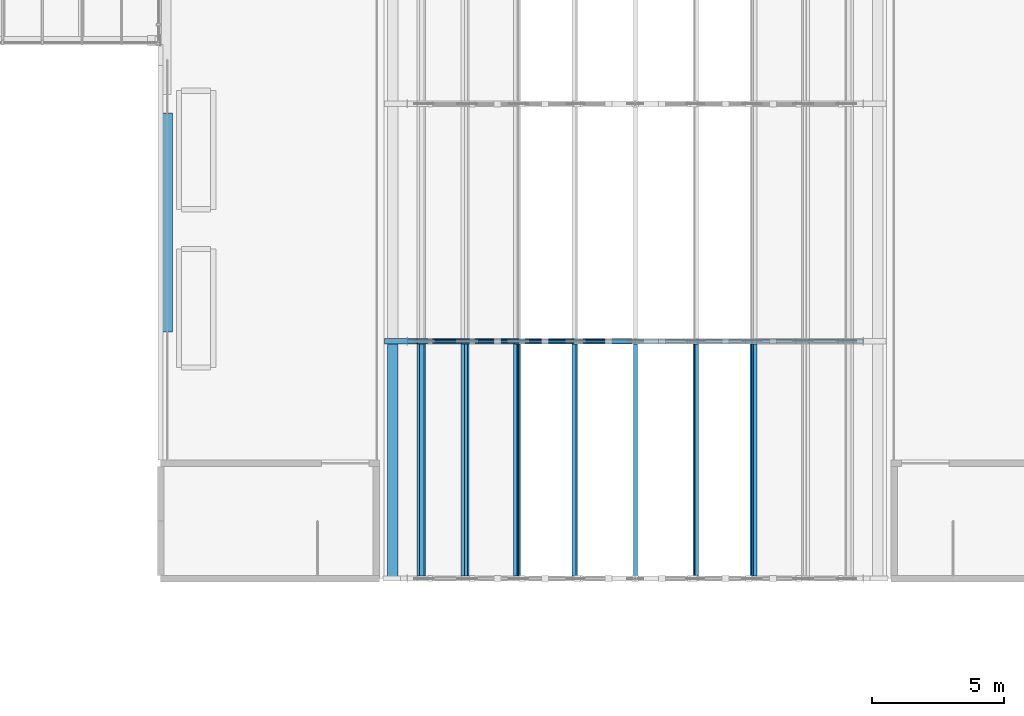
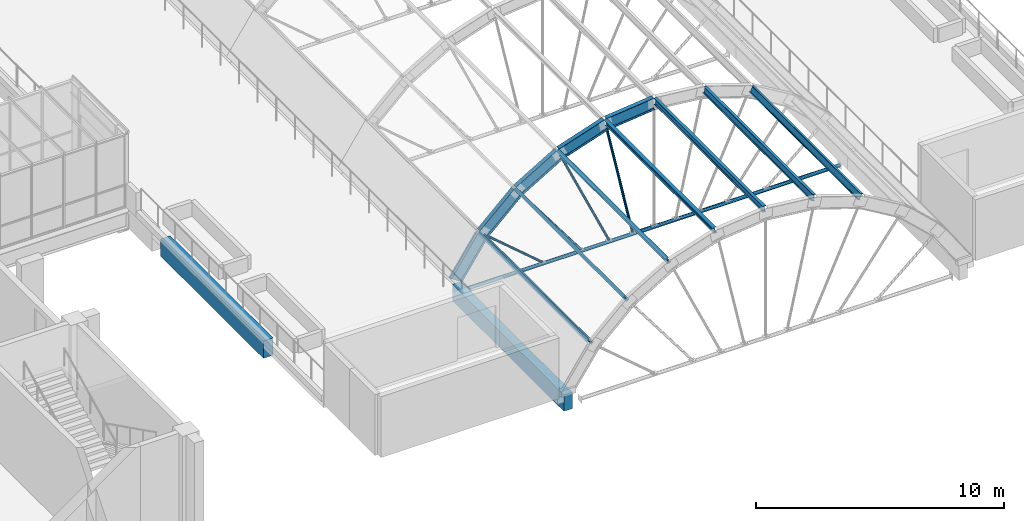
# One storey, part 11 of 79: 12 members, 7 beams.
"""IFC4 building model written with IfcOpenShell, lengths in metres."""

from ifc_helpers import new_model, si_unit, direction, frame, origin, origin_2d, place, context, subcontext, project, spatial, rectangle, hollow_circle, i_section, extrude, material, material_profile, profile_set, type_object, element, save


model = new_model("IFC4")

# Units and contexts
model_context = context("Model", 3, precision=1e-05, world=origin(), true_north=direction((0.0, 1.0)))
body_context = subcontext(model_context, "Body", "Model", "MODEL_VIEW")
ifc_project = project(units=[si_unit("LENGTHUNIT", "METRE"), si_unit("AREAUNIT", "SQUARE_METRE"), si_unit("VOLUMEUNIT", "CUBIC_METRE"), si_unit("PLANEANGLEUNIT", "RADIAN"), si_unit("MASSUNIT", "GRAM", prefix="KILO")], contexts=[model_context])

# Site, building, storey
site_placement = place(None, origin())
site = spatial("IfcSite", under=ifc_project, at=site_placement, CompositionType="ELEMENT")
building_placement = place(site_placement, origin())
building = spatial("IfcBuilding", under=site, at=building_placement, Name="Guidao Yard Department Store", CompositionType="ELEMENT")
storey_placement = place(building_placement, frame((0.0, 0.0, 15.0)))
storey = spatial("IfcBuildingStorey", under=building, at=storey_placement, Name="L03", CompositionType="ELEMENT", Elevation=15.0)

# Members
ifc_material_1 = material(Name="Steel Q355B", Category="steel")
ifc_material_profile_1 = material_profile(ifc_material_1, hollow_circle(Radius=0.056884765625, WallThickness=0.006103515625, at=origin_2d()), Name="CHS 114x6")
ifc_profile_set_1 = profile_set([ifc_material_profile_1], Name="Steel Q355B")
member_type_1 = type_object("IfcMemberType", Name="CHS 114x6", PredefinedType="BRACE", material=ifc_profile_set_1)
member_1_placement = place(storey_placement, frame((84.77490234375, 54.0, -0.360107421875), z_axis=(-0.760338516722, 0.0, 0.649527012516), x_axis=(0.0, -1.0, 0.0)))
element("IfcMember", 1, at=member_1_placement, inside=storey, type_object=member_type_1, Name="Roof web strut C02-01", PredefinedType="BRACE", context=body_context, shape_type="SweptSolid", body=[
    extrude(hollow_circle(Radius=0.056884765625, WallThickness=0.006103515625, at=origin_2d()), origin(), (0.0, 0.0, 1.0), 3.357666015625),
])
member_2_placement = place(storey_placement, frame((86.575927734375, 54.0, -0.360107421875), z_axis=(-0.600934318152, 0.0, 0.799298408147), x_axis=(0.0, -1.0, 0.0)))
element("IfcMember", 2, at=member_2_placement, inside=storey, type_object=member_type_1, Name="Roof web strut C02-02", PredefinedType="BRACE", context=body_context, shape_type="SweptSolid", body=[
    extrude(hollow_circle(Radius=0.056884765625, WallThickness=0.006103515625, at=origin_2d()), origin(), (0.0, 0.0, 1.0), 4.596923828125),
])
member_3_placement = place(storey_placement, frame((87.890869140625, 54.0, -0.360107421875), z_axis=(-0.415142377249, 0.0, 0.909756454559), x_axis=(0.0, -1.0, 0.0)))
element("IfcMember", 3, at=member_3_placement, inside=storey, type_object=member_type_1, Name="Roof web strut C02-03", PredefinedType="BRACE", context=body_context, shape_type="SweptSolid", body=[
    extrude(hollow_circle(Radius=0.056884765625, WallThickness=0.006103515625, at=origin_2d()), origin(), (0.0, 0.0, 1.0), 5.271728515625),
])
member_4_placement = place(storey_placement, frame((88.98876953125, 54.0, -0.360107421875), z_axis=(-0.211899287995, 0.0, 0.977291508071), x_axis=(0.0, -1.0, 0.0)))
element("IfcMember", 4, at=member_4_placement, inside=storey, type_object=member_type_1, Name="Roof web strut C02-04", PredefinedType="BRACE", context=body_context, shape_type="SweptSolid", body=[
    extrude(hollow_circle(Radius=0.056884765625, WallThickness=0.006103515625, at=origin_2d()), origin(), (0.0, 0.0, 1.0), 5.619140625),
])
ifc_material_2 = material(Name="Steel Q355B", Category="steel")
ifc_material_profile_2 = material_profile(ifc_material_2, hollow_circle(Radius=0.083984375, WallThickness=0.008056640625, at=origin_2d()), Name="CHS 168x8")
ifc_profile_set_2 = profile_set([ifc_material_profile_2], Name="Steel Q355B")
member_type_2 = type_object("IfcMemberType", Name="CHS 168x8", PredefinedType="BRACE", material=ifc_profile_set_2)
member_5_placement = place(storey_placement, frame((81.35009765625, 54.0, -0.449951171875), z_axis=(1.0, 0.0, 0.0), x_axis=(0.0, 1.0, 0.0)))
element("IfcMember", 5, at=member_5_placement, inside=storey, type_object=member_type_2, Name="Roof tie rod C02", PredefinedType="BRACE", context=body_context, shape_type="SweptSolid", body=[
    extrude(hollow_circle(Radius=0.083984375, WallThickness=0.008056640625, at=origin_2d()), origin(), (0.0, 0.0, 1.0), 17.2998046875),
])

# Beam
ifc_material_3 = material(Name="Concrete C40", Category="concrete")
ifc_material_profile_3 = material_profile(ifc_material_3, rectangle(XDim=0.449951171875, YDim=0.85009765625, at=origin_2d()), Name="Garden roof spandrel beam 450 x 850 C40")
ifc_profile_set_3 = profile_set([ifc_material_profile_3], Name="Concrete C40")
beam_type_1 = type_object("IfcBeamType", Name="Garden roof spandrel beam 450 x 850 C40", PredefinedType="SPANDREL", material=ifc_profile_set_3)
beam_1_placement = place(storey_placement, frame((72.22509765625, 54.35009765625, -0.425048828125), z_axis=(0.0, 1.0, 0.0), x_axis=(-1.0, 0.0, 0.0)))
element("IfcBeam", 6, at=beam_1_placement, inside=storey, type_object=beam_type_1, Name="Beam EB48", PredefinedType="SPANDREL", context=body_context, shape_type="SweptSolid", body=[
    extrude(rectangle(XDim=0.449951171875, YDim=0.85009765625, at=origin_2d()), origin(), (0.0, 0.0, 1.0), 8.2998046875),
])

# Members
ifc_material_4 = material(Name="Steel Q355B", Category="steel")
ifc_material_profile_4 = material_profile(ifc_material_4, i_section(OverallWidth=0.14990234375, OverallDepth=0.300048828125, WebThickness=0.006591796875, FlangeThickness=0.009033203125, FilletRadius=0.012939453125, at=origin_2d()), Name="HN 300x150x6.5x9")
ifc_profile_set_4 = profile_set([ifc_material_profile_4], Name="Steel Q355B")
member_type_3 = type_object("IfcMemberType", Name="HN 300x150x6.5x9", PredefinedType="PURLIN", material=ifc_profile_set_4)
for number, where, z_axis, x_axis, name in (
    (7, (81.88330078125, 45.10009765625, 2.110107421875), (0.0, 1.0, 0.0), (-0.649536869322, 0.0, -0.760330096334), "Roof purlin C01-01"),
    (8, (83.5458984375, 45.10009765625, 3.670166015625), (0.0, 1.0, 0.0), (-0.79928350319, 0.0, -0.600954142617), "Roof purlin C01-02"),
    (9, (85.517578125, 45.10009765625, 4.841064453125), (0.0, 1.0, 0.0), (-0.909750741633, 0.0, -0.415154896513), "Roof purlin C01-03"),
    (10, (87.703857421875, 45.10009765625, 5.56640625), (0.0, 1.0, 0.0), (-0.977291953985, 0.0, -0.211897231402), "Roof purlin C01-04"),
    (11, (90.0, 45.10009765625, 5.812255859375), (0.0, 1.0, 0.0), (-1.0, 0.0, 0.0), "Roof purlin C01-05"),
    (12, (92.296142578125, 45.10009765625, 5.56640625), (0.0, 1.0, 0.0), (-0.977291953985, 0.0, 0.211897231402), "Roof purlin C01-06"),
    (13, (94.482421875, 45.10009765625, 4.841064453125), (0.0, 1.0, 0.0), (-0.909750741633, 0.0, 0.415154896513), "Roof purlin C01-07"),
):
    element("IfcMember", number, at=place(storey_placement, frame(where, z_axis=z_axis, x_axis=x_axis)), inside=storey, type_object=member_type_3, Name=name, PredefinedType="PURLIN", context=body_context, shape_type="SweptSolid", body=[
        extrude(i_section(OverallWidth=0.14990234375, OverallDepth=0.300048828125, WebThickness=0.006591796875, FlangeThickness=0.009033203125, FilletRadius=0.012939453125, at=origin_2d()), origin(), (0.0, 0.0, 1.0), 8.7998046875),
    ])

# Beams
ifc_material_5 = material(Name="Steel Q355B", Category="steel")
ifc_material_profile_5 = material_profile(ifc_material_5, i_section(OverallWidth=0.199951171875, OverallDepth=0.60009765625, WebThickness=0.010986328125, FlangeThickness=0.01708984375, FilletRadius=0.012939453125, at=origin_2d()), Name="HN 600x200x11x17")
ifc_profile_set_5 = profile_set([ifc_material_profile_5], Name="Steel Q355B")
beam_type_2 = type_object("IfcBeamType", Name="HN 600x200x11x17", PredefinedType="BEAM", material=ifc_profile_set_5)
beam_2_placement = place(storey_placement, frame((80.73681640625, 54.0, 0.168701171875), z_axis=(0.561973245007, 0.0, 0.827155409761), x_axis=(0.0, 1.0, 0.0)))
element("IfcBeam", 14, at=beam_2_placement, inside=storey, type_object=beam_type_2, Name="Roof rib C02-01", PredefinedType="BEAM", context=body_context, shape_type="SweptSolid", body=[
    extrude(i_section(OverallWidth=0.199951171875, OverallDepth=0.60009765625, WebThickness=0.010986328125, FlangeThickness=0.01708984375, FilletRadius=0.012939453125, at=origin_2d()), origin(), (0.0, 0.0, 1.0), 2.201171875),
])
beam_3_placement = place(storey_placement, frame((82.016845703125, 54.0, 2.03955078125), z_axis=(0.729181254966, 0.0, 0.684320610099), x_axis=(0.0, 1.0, 0.0)))
element("IfcBeam", 15, at=beam_3_placement, inside=storey, type_object=beam_type_2, Name="Roof rib C02-02", PredefinedType="BEAM", context=body_context, shape_type="SweptSolid", body=[
    extrude(i_section(OverallWidth=0.199951171875, OverallDepth=0.60009765625, WebThickness=0.010986328125, FlangeThickness=0.01708984375, FilletRadius=0.012939453125, at=origin_2d()), origin(), (0.0, 0.0, 1.0), 2.182373046875),
])
beam_4_placement = place(storey_placement, frame((83.660400390625, 54.0, 3.572265625), z_axis=(0.859895907255, 0.0, 0.510469419933), x_axis=(0.0, 1.0, 0.0)))
element("IfcBeam", 16, at=beam_4_placement, inside=storey, type_object=beam_type_2, Name="Roof rib C02-03", PredefinedType="BEAM", context=body_context, shape_type="SweptSolid", body=[
    extrude(i_section(OverallWidth=0.199951171875, OverallDepth=0.60009765625, WebThickness=0.010986328125, FlangeThickness=0.01708984375, FilletRadius=0.012939453125, at=origin_2d()), origin(), (0.0, 0.0, 1.0), 2.19677734375),
])
beam_5_placement = place(storey_placement, frame((85.60791015625, 54.0, 4.720458984375), z_axis=(0.949091595418, 0.0, 0.31500022779), x_axis=(0.0, 1.0, 0.0)))
element("IfcBeam", 17, at=beam_5_placement, inside=storey, type_object=beam_type_2, Name="Roof rib C02-04", PredefinedType="BEAM", context=body_context, shape_type="SweptSolid", body=[
    extrude(i_section(OverallWidth=0.199951171875, OverallDepth=0.60009765625, WebThickness=0.010986328125, FlangeThickness=0.01708984375, FilletRadius=0.012939453125, at=origin_2d()), origin(), (0.0, 0.0, 1.0), 2.2080078125),
])
beam_6_placement = place(storey_placement, frame((87.766357421875, 54.0, 5.429443359375), z_axis=(0.994311656362, 0.0, 0.10650976492), x_axis=(0.0, 1.0, 0.0)))
element("IfcBeam", 18, at=beam_6_placement, inside=storey, type_object=beam_type_2, Name="Roof rib C02-05", PredefinedType="BEAM", context=body_context, shape_type="SweptSolid", body=[
    extrude(i_section(OverallWidth=0.199951171875, OverallDepth=0.60009765625, WebThickness=0.010986328125, FlangeThickness=0.01708984375, FilletRadius=0.012939453125, at=origin_2d()), origin(), (0.0, 0.0, 1.0), 2.21435546875),
])
ifc_material_6 = material(Name="Concrete C40", Category="concrete")
ifc_material_profile_6 = material_profile(ifc_material_6, rectangle(XDim=0.39990234375, YDim=0.800048828125, at=origin_2d()), Name="Vault bearing beam 400 x 800 C40")
ifc_profile_set_6 = profile_set([ifc_material_profile_6], Name="Concrete C40")
beam_type_3 = type_object("IfcBeamType", Name="Vault bearing beam 400 x 800 C40", PredefinedType="BEAM", material=ifc_profile_set_6)
beam_7_placement = place(storey_placement, frame((80.800048828125, 45.0, -0.39990234375), z_axis=(0.0, 1.0, 0.0), x_axis=(-1.0, 0.0, 0.0)))
element("IfcBeam", 19, at=beam_7_placement, inside=storey, type_object=beam_type_3, Name="Beam VB01", PredefinedType="BEAM", context=body_context, shape_type="SweptSolid", body=[
    extrude(rectangle(XDim=0.39990234375, YDim=0.800048828125, at=origin_2d()), origin(), (0.0, 0.0, 1.0), 9.0),
])

save(model, "model.ifc")
